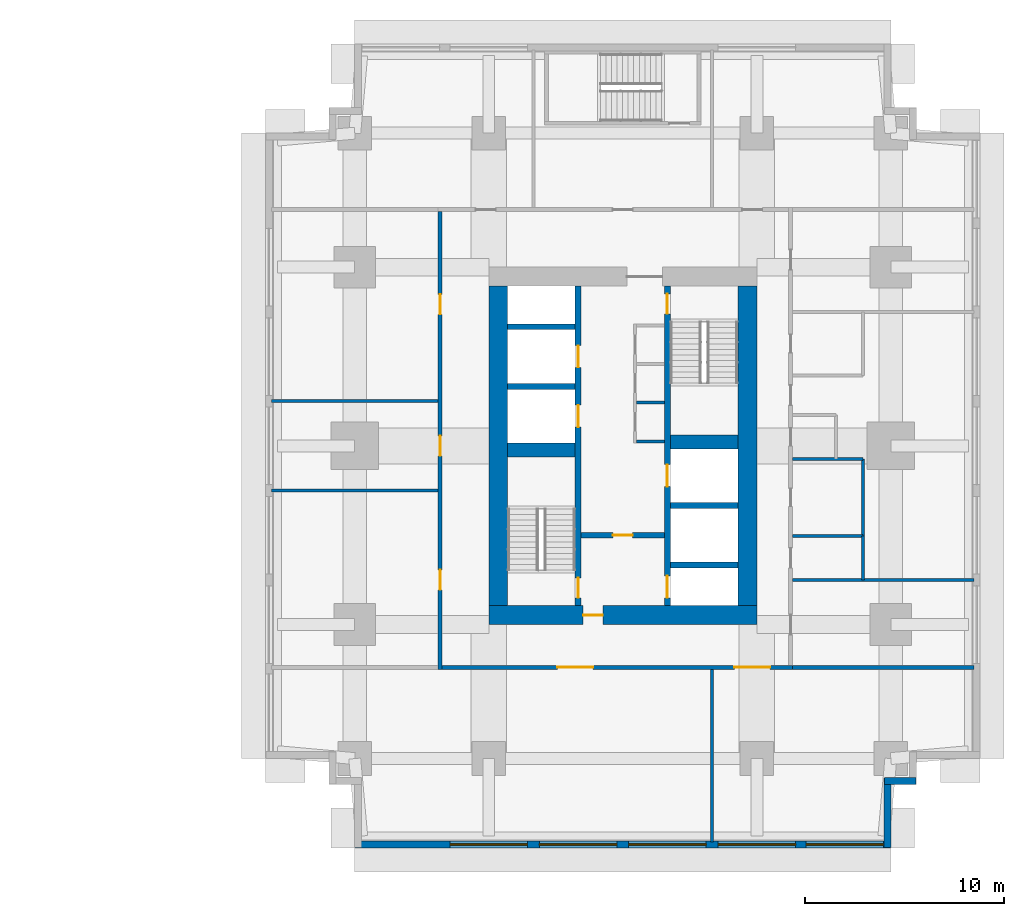
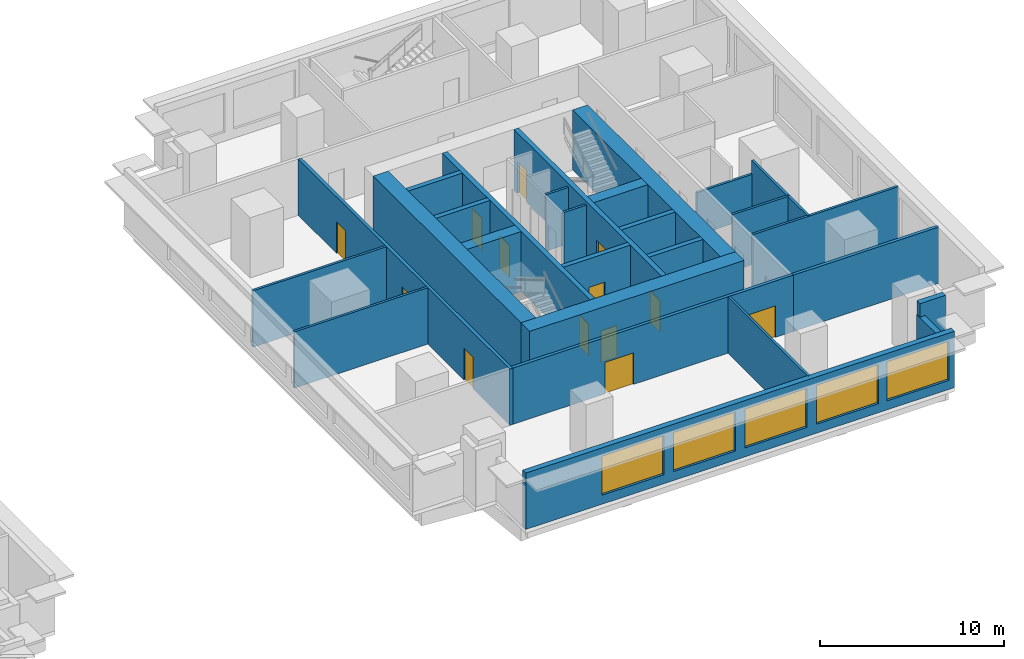
# One storey, part 6 of 11: 28 walls, 13 doors, 5 windows, 18 openings.
"""IFC4 building model written with IfcOpenShell, lengths in metres."""

from ifc_helpers import new_model, si_unit, direction, frame, frame_2d, origin, place, context, subcontext, project, spatial, rectangle, extrude, material, layer, layer_set, type_object, element, fill, save


model = new_model("IFC4")

# Units and contexts
model_context = context("Model", 3, precision=1e-05, world=origin(), true_north=direction((0.0, 1.0)))
body_context = subcontext(model_context, "Body", "Model", "MODEL_VIEW")
ifc_project = project(units=[si_unit("LENGTHUNIT", "METRE"), si_unit("AREAUNIT", "SQUARE_METRE"), si_unit("VOLUMEUNIT", "CUBIC_METRE"), si_unit("PLANEANGLEUNIT", "RADIAN"), si_unit("MASSUNIT", "GRAM", prefix="KILO")], contexts=[model_context])

# Site, building, storey
site_placement = place(None, origin())
site = spatial("IfcSite", under=ifc_project, at=site_placement, CompositionType="ELEMENT")
building_placement = place(site_placement, origin())
building = spatial("IfcBuilding", under=site, at=building_placement, Name="Namib Vertical Campus", CompositionType="ELEMENT")
storey_placement = place(building_placement, frame((0.0, 0.0, 49.0)))
storey = spatial("IfcBuildingStorey", under=building, at=storey_placement, Name="L11", CompositionType="ELEMENT", Elevation=49.0)

# Wall, openings, doors
ifc_material_1 = material(Name="Concrete C60/75", Category="concrete")
ifc_layer_1 = layer(ifc_material_1, 0.300048828125)
ifc_layer_set_1 = layer_set([ifc_layer_1], Name="Concrete C60/75")
wall_type_1 = type_object("IfcWallType", Name="Core inner wall 300", PredefinedType="SHEAR", material=ifc_layer_set_1)
wall_1_placement = place(storey_placement, frame((78.75, 12.199951171875, 0.0), z_axis=(0.0, 0.0, 1.0), x_axis=(0.0, 1.0, 0.0)))
wall_1 = element("IfcWall", 1, at=wall_1_placement, inside=storey, type_object=wall_type_1, Name="Core inner wall B L11 W1", PredefinedType="SHEAR", context=body_context, shape_type="SweptSolid", body=[
    extrude(rectangle(XDim=16.10009765625, YDim=0.300048828125, at=frame_2d((8.050048828125, 0.0))), origin(), (0.0, 0.0, 1.0), 4.0),
])
opening_1_placement = place(wall_1_placement, frame((0.39990234375, 0.0, 0.0)))
opening_1 = element("IfcOpeningElement", 2, at=opening_1_placement, cuts=wall_1, Name="Opening FD1", PredefinedType="OPENING", context=body_context, shape_type="SweptSolid", body=[
    extrude(rectangle(XDim=1.0, YDim=2.10009765625, at=frame_2d((0.5, 1.050048828125))), frame((0.0, 0.159912109375, 0.0), z_axis=(0.0, -1.0, 0.0), x_axis=(1.0, 0.0, 0.0)), (0.0, 0.0, 1.0), 0.320068359375),
])
opening_2_placement = place(wall_1_placement, frame((9.0, 0.0, 0.0)))
opening_2 = element("IfcOpeningElement", 3, at=opening_2_placement, cuts=wall_1, Name="Opening LD1", PredefinedType="OPENING", context=body_context, shape_type="SweptSolid", body=[
    extrude(rectangle(XDim=1.10009765625, YDim=2.10009765625, at=frame_2d((0.550048828125, 1.050048828125))), frame((0.0, 0.159912109375, 0.0), z_axis=(0.0, -1.0, 0.0), x_axis=(1.0, 0.0, 0.0)), (0.0, 0.0, 1.0), 0.320068359375),
])
opening_3_placement = place(wall_1_placement, frame((12.0, 0.0, 0.0)))
opening_3 = element("IfcOpeningElement", 4, at=opening_3_placement, cuts=wall_1, Name="Opening LD1", PredefinedType="OPENING", context=body_context, shape_type="SweptSolid", body=[
    extrude(rectangle(XDim=1.10009765625, YDim=2.10009765625, at=frame_2d((0.550048828125, 1.050048828125))), frame((0.0, 0.159912109375, 0.0), z_axis=(0.0, -1.0, 0.0), x_axis=(1.0, 0.0, 0.0)), (0.0, 0.0, 1.0), 0.320068359375),
])
ifc_material_2 = material(Name="Steel fire door", Category="steel")
door_type_1 = type_object("IfcDoorType", Name="Fire door 1000x2100", OperationType="SINGLE_SWING_RIGHT", PredefinedType="DOOR", material=ifc_material_2)
door_1_placement = place(opening_1_placement, origin())
door_1 = element("IfcDoor", 5, at=door_1_placement, inside=storey, type_object=door_type_1, Name="Stair door FD1 B L11 S1", OperationType="SINGLE_SWING_LEFT", OverallHeight=2.10009765625, OverallWidth=1.0, PredefinedType="DOOR", context=body_context, shape_type="SweptSolid", body=[
    extrude(rectangle(XDim=1.0, YDim=2.10009765625, at=frame_2d((0.5, 1.050048828125))), frame((0.0, 0.02490234375, 0.0), z_axis=(0.0, -1.0, 0.0), x_axis=(1.0, 0.0, 0.0)), (0.0, 0.0, 1.0), 0.050048828125),
])
fill(opening_1, door_1)
ifc_material_3 = material(Name="Stainless steel lift door", Category="steel")
door_type_2 = type_object("IfcDoorType", Name="Lift landing door 1100x2100", OperationType="DOUBLE_DOOR_SLIDING", PredefinedType="DOOR", material=ifc_material_3)
door_2_placement = place(opening_2_placement, origin())
door_2 = element("IfcDoor", 6, at=door_2_placement, inside=storey, type_object=door_type_2, Name="Lift landing door LD1 B-P1 L11", OperationType="DOUBLE_DOOR_SLIDING", OverallHeight=2.10009765625, OverallWidth=1.10009765625, PredefinedType="DOOR", context=body_context, shape_type="SweptSolid", body=[
    extrude(rectangle(XDim=1.10009765625, YDim=2.10009765625, at=frame_2d((0.550048828125, 1.050048828125))), frame((0.0, 0.02490234375, 0.0), z_axis=(0.0, -1.0, 0.0), x_axis=(1.0, 0.0, 0.0)), (0.0, 0.0, 1.0), 0.050048828125),
])
fill(opening_2, door_2)
door_3_placement = place(opening_3_placement, origin())
door_3 = element("IfcDoor", 7, at=door_3_placement, inside=storey, type_object=door_type_2, Name="Lift landing door LD1 B-P2 L11", OperationType="DOUBLE_DOOR_SLIDING", OverallHeight=2.10009765625, OverallWidth=1.10009765625, PredefinedType="DOOR", context=body_context, shape_type="SweptSolid", body=[
    extrude(rectangle(XDim=1.10009765625, YDim=2.10009765625, at=frame_2d((0.550048828125, 1.050048828125))), frame((0.0, 0.02490234375, 0.0), z_axis=(0.0, -1.0, 0.0), x_axis=(1.0, 0.0, 0.0)), (0.0, 0.0, 1.0), 0.050048828125),
])
fill(opening_3, door_3)

wall_2_placement = place(storey_placement, frame((83.25, 12.199951171875, 0.0), z_axis=(0.0, 0.0, 1.0), x_axis=(0.0, 1.0, 0.0)))
wall_2 = element("IfcWall", 8, at=wall_2_placement, inside=storey, type_object=wall_type_1, Name="Core inner wall B L11 W2", PredefinedType="SHEAR", context=body_context, shape_type="SweptSolid", body=[
    extrude(rectangle(XDim=16.10009765625, YDim=0.300048828125, at=frame_2d((8.050048828125, 0.0))), origin(), (0.0, 0.0, 1.0), 4.0),
])
opening_4_placement = place(wall_2_placement, frame((14.699951171875, 0.0, 0.0)))
opening_4 = element("IfcOpeningElement", 9, at=opening_4_placement, cuts=wall_2, Name="Opening FD1", PredefinedType="OPENING", context=body_context, shape_type="SweptSolid", body=[
    extrude(rectangle(XDim=1.0, YDim=2.10009765625, at=frame_2d((0.5, 1.050048828125))), frame((0.0, 0.159912109375, 0.0), z_axis=(0.0, -1.0, 0.0), x_axis=(1.0, 0.0, 0.0)), (0.0, 0.0, 1.0), 0.320068359375),
])
opening_5_placement = place(wall_2_placement, frame((0.39990234375, 0.0, 0.0)))
opening_5 = element("IfcOpeningElement", 10, at=opening_5_placement, cuts=wall_2, Name="Opening LD1", PredefinedType="OPENING", context=body_context, shape_type="SweptSolid", body=[
    extrude(rectangle(XDim=1.10009765625, YDim=2.10009765625, at=frame_2d((0.550048828125, 1.050048828125))), frame((0.0, 0.159912109375, 0.0), z_axis=(0.0, -1.0, 0.0), x_axis=(1.0, 0.0, 0.0)), (0.0, 0.0, 1.0), 0.320068359375),
])
opening_6_placement = place(wall_2_placement, frame((6.0, 0.0, 0.0)))
opening_6 = element("IfcOpeningElement", 11, at=opening_6_placement, cuts=wall_2, Name="Opening LD1", PredefinedType="OPENING", context=body_context, shape_type="SweptSolid", body=[
    extrude(rectangle(XDim=1.10009765625, YDim=2.10009765625, at=frame_2d((0.550048828125, 1.050048828125))), frame((0.0, 0.159912109375, 0.0), z_axis=(0.0, -1.0, 0.0), x_axis=(1.0, 0.0, 0.0)), (0.0, 0.0, 1.0), 0.320068359375),
])
door_4_placement = place(opening_4_placement, frame((1.0, 0.0, 0.0), z_axis=(0.0, 0.0, 1.0), x_axis=(-1.0, 0.0, 0.0)))
door_4 = element("IfcDoor", 12, at=door_4_placement, inside=storey, type_object=door_type_1, Name="Stair door FD1 B L11 S2", OperationType="SINGLE_SWING_LEFT", OverallHeight=2.10009765625, OverallWidth=1.0, PredefinedType="DOOR", context=body_context, shape_type="SweptSolid", body=[
    extrude(rectangle(XDim=1.0, YDim=2.10009765625, at=frame_2d((0.5, 1.050048828125))), frame((0.0, 0.02490234375, 0.0), z_axis=(0.0, -1.0, 0.0), x_axis=(1.0, 0.0, 0.0)), (0.0, 0.0, 1.0), 0.050048828125),
])
fill(opening_4, door_4)
door_5_placement = place(opening_5_placement, origin())
door_5 = element("IfcDoor", 13, at=door_5_placement, inside=storey, type_object=door_type_2, Name="Lift landing door LD1 B-FL1 L11", OperationType="DOUBLE_DOOR_SLIDING", OverallHeight=2.10009765625, OverallWidth=1.10009765625, PredefinedType="DOOR", context=body_context, shape_type="SweptSolid", body=[
    extrude(rectangle(XDim=1.10009765625, YDim=2.10009765625, at=frame_2d((0.550048828125, 1.050048828125))), frame((0.0, 0.02490234375, 0.0), z_axis=(0.0, -1.0, 0.0), x_axis=(1.0, 0.0, 0.0)), (0.0, 0.0, 1.0), 0.050048828125),
])
fill(opening_5, door_5)
door_6_placement = place(opening_6_placement, origin())
door_6 = element("IfcDoor", 14, at=door_6_placement, inside=storey, type_object=door_type_2, Name="Lift landing door LD1 B-P5 L11", OperationType="DOUBLE_DOOR_SLIDING", OverallHeight=2.10009765625, OverallWidth=1.10009765625, PredefinedType="DOOR", context=body_context, shape_type="SweptSolid", body=[
    extrude(rectangle(XDim=1.10009765625, YDim=2.10009765625, at=frame_2d((0.550048828125, 1.050048828125))), frame((0.0, 0.02490234375, 0.0), z_axis=(0.0, -1.0, 0.0), x_axis=(1.0, 0.0, 0.0)), (0.0, 0.0, 1.0), 0.050048828125),
])
fill(opening_6, door_6)

# Wall, opening, door
wall_3_placement = place(storey_placement, frame((78.89990234375, 15.75, 0.0), z_axis=(0.0, 0.0, 1.0), x_axis=(1.0, 0.0, 0.0)))
wall_3 = element("IfcWall", 15, at=wall_3_placement, inside=storey, type_object=wall_type_1, Name="Core inner wall B L11 W4", PredefinedType="SHEAR", context=body_context, shape_type="SweptSolid", body=[
    extrude(rectangle(XDim=4.2001953125, YDim=0.300048828125, at=frame_2d((2.10009765625, 0.0))), origin(), (0.0, 0.0, 1.0), 4.0),
])
opening_7_placement = place(wall_3_placement, frame((1.60009765625, 0.0, 0.0)))
opening_7 = element("IfcOpeningElement", 16, at=opening_7_placement, cuts=wall_3, Name="Opening FD5", PredefinedType="OPENING", context=body_context, shape_type="SweptSolid", body=[
    extrude(rectangle(XDim=1.0, YDim=2.10009765625, at=frame_2d((0.5, 1.050048828125))), frame((0.0, 0.159912109375, 0.0), z_axis=(0.0, -1.0, 0.0), x_axis=(1.0, 0.0, 0.0)), (0.0, 0.0, 1.0), 0.320068359375),
])
ifc_material_4 = material(Name="Steel fire door", Category="steel")
door_type_3 = type_object("IfcDoorType", Name="Fire door 1000x2100 120 min", OperationType="SINGLE_SWING_RIGHT", PredefinedType="DOOR", material=ifc_material_4)
door_7_placement = place(opening_7_placement, frame((1.0, 0.0, 0.0), z_axis=(0.0, 0.0, 1.0), x_axis=(-1.0, 0.0, 0.0)))
door_7 = element("IfcDoor", 17, at=door_7_placement, inside=storey, type_object=door_type_3, Name="Lobby door FD5 B L11", OperationType="SINGLE_SWING_RIGHT", OverallHeight=2.10009765625, OverallWidth=1.0, PredefinedType="DOOR", context=body_context, shape_type="SweptSolid", body=[
    extrude(rectangle(XDim=1.0, YDim=2.10009765625, at=frame_2d((0.5, 1.050048828125))), frame((0.0, 0.02490234375, 0.0), z_axis=(0.0, -1.0, 0.0), x_axis=(1.0, 0.0, 0.0)), (0.0, 0.0, 1.0), 0.050048828125),
])
fill(opening_7, door_7)

# Walls
for number, where, z_axis, x_axis, name in (
    (18, (83.39990234375, 14.25, 0.0), (0.0, 0.0, 1.0), (1.0, 0.0, 0.0), "Core inner wall B L11 W5"),
    (19, (83.39990234375, 17.25, 0.0), (0.0, 0.0, 1.0), (1.0, 0.0, 0.0), "Core inner wall B L11 W6"),
    (20, (75.199951171875, 23.25, 0.0), (0.0, 0.0, 1.0), (1.0, 0.0, 0.0), "Core inner wall B L11 W8"),
    (21, (75.199951171875, 26.25, 0.0), (0.0, 0.0, 1.0), (1.0, 0.0, 0.0), "Core inner wall B L11 W9"),
):
    element("IfcWall", number, at=place(storey_placement, frame(where, z_axis=z_axis, x_axis=x_axis)), inside=storey, type_object=wall_type_1, Name=name, PredefinedType="SHEAR", context=body_context, shape_type="SweptSolid", body=[
        extrude(rectangle(XDim=3.400146484375, YDim=0.300048828125, at=frame_2d((1.7001953125, 0.0))), origin(), (0.0, 0.0, 1.0), 4.0),
    ])
ifc_material_5 = material(Name="Concrete C60/75", Category="concrete")
ifc_layer_2 = layer(ifc_material_5, 0.699951171875)
ifc_layer_set_2 = layer_set([ifc_layer_2], Name="Concrete C60/75")
wall_type_2 = type_object("IfcWallType", Name="Core shear wall 700", PredefinedType="SHEAR", material=ifc_layer_set_2)
for number, where, z_axis, x_axis, name in (
    (22, (75.199951171875, 20.050048828125, 0.0), (0.0, 0.0, 1.0), (1.0, 0.0, 0.0), "Core shear wall B L11 W3"),
    (23, (83.39990234375, 20.449951171875, 0.0), (0.0, 0.0, 1.0), (1.0, 0.0, 0.0), "Core shear wall B L11 W7"),
):
    element("IfcWall", number, at=place(storey_placement, frame(where, z_axis=z_axis, x_axis=x_axis)), inside=storey, type_object=wall_type_2, Name=name, PredefinedType="SHEAR", context=body_context, shape_type="SweptSolid", body=[
        extrude(rectangle(XDim=3.400146484375, YDim=0.699951171875, at=frame_2d((1.7001953125, 0.0))), origin(), (0.0, 0.0, 1.0), 4.0),
    ])

# Wall, opening, door
ifc_material_6 = material(Name="Concrete C60/75", Category="concrete")
ifc_layer_3 = layer(ifc_material_6, 0.949951171875)
ifc_layer_set_3 = layer_set([ifc_layer_3], Name="Concrete C60/75")
wall_type_3 = type_object("IfcWallType", Name="Core wall 950", PredefinedType="SHEAR", material=ifc_layer_set_3)
wall_4_placement = place(storey_placement, frame((74.25, 11.72509765625, 0.0), z_axis=(0.0, 0.0, 1.0), x_axis=(1.0, 0.0, 0.0)))
wall_4 = element("IfcWall", 24, at=wall_4_placement, inside=storey, type_object=wall_type_3, Name="Core wall B L11 1", PredefinedType="SHEAR", context=body_context, shape_type="SweptSolid", body=[
    extrude(rectangle(XDim=13.5, YDim=0.949951171875, at=frame_2d((6.75, 0.0))), origin(), (0.0, 0.0, 1.0), 4.0),
])
opening_8_placement = place(wall_4_placement, frame((4.75, 0.0, 0.0)))
opening_8 = element("IfcOpeningElement", 25, at=opening_8_placement, cuts=wall_4, Name="Opening FD5", PredefinedType="OPENING", context=body_context, shape_type="SweptSolid", body=[
    extrude(rectangle(XDim=1.0, YDim=2.10009765625, at=frame_2d((0.5, 1.050048828125))), frame((0.0, 0.48486328125, 0.0), z_axis=(0.0, -1.0, 0.0), x_axis=(1.0, 0.0, 0.0)), (0.0, 0.0, 1.0), 0.969970703125),
])
door_8_placement = place(opening_8_placement, origin())
door_8 = element("IfcDoor", 26, at=door_8_placement, inside=storey, type_object=door_type_3, Name="Firefighting lobby door FD5 B L11", OperationType="SINGLE_SWING_LEFT", OverallHeight=2.10009765625, OverallWidth=1.0, PredefinedType="DOOR", context=body_context, shape_type="SweptSolid", body=[
    extrude(rectangle(XDim=1.0, YDim=2.10009765625, at=frame_2d((0.5, 1.050048828125))), frame((0.0, 0.02490234375, 0.0), z_axis=(0.0, -1.0, 0.0), x_axis=(1.0, 0.0, 0.0)), (0.0, 0.0, 1.0), 0.050048828125),
])
fill(opening_8, door_8)

# Walls
for number, where, z_axis, x_axis, name in (
    (27, (87.27490234375, 12.199951171875, 0.0), (0.0, 0.0, 1.0), (0.0, 1.0, 0.0), "Core wall B L11 2"),
    (28, (74.72509765625, 28.300048828125, 0.0), (0.0, 0.0, 1.0), (0.0, -1.0, 0.0), "Core wall B L11 4"),
):
    element("IfcWall", number, at=place(storey_placement, frame(where, z_axis=z_axis, x_axis=x_axis)), inside=storey, type_object=wall_type_3, Name=name, PredefinedType="SHEAR", context=body_context, shape_type="SweptSolid", body=[
        extrude(rectangle(XDim=16.10009765625, YDim=0.949951171875, at=frame_2d((8.050048828125, 0.0))), origin(), (0.0, 0.0, 1.0), 4.0),
    ])

# Wall, openings, doors
ifc_material_7 = material(Name="Concrete masonry", Category="masonry")
ifc_layer_4 = layer(ifc_material_7, 0.199951171875)
ifc_layer_set_4 = layer_set([ifc_layer_4], Name="Corridor wall 200")
wall_type_4 = type_object("IfcWallType", Name="Corridor wall 200", PredefinedType="SOLIDWALL", material=ifc_layer_set_4)
wall_5_placement = place(storey_placement, frame((71.89990234375, 9.10009765625, 0.0), z_axis=(0.0, 0.0, 1.0), x_axis=(1.0, 0.0, 0.0)))
wall_5 = element("IfcWall", 29, at=wall_5_placement, inside=storey, type_object=wall_type_4, Name="Corridor wall B L11 CS", PredefinedType="SOLIDWALL", context=body_context, shape_type="SweptSolid", body=[
    extrude(rectangle(XDim=17.650146484375, YDim=0.199951171875, at=frame_2d((8.8251953125, 0.0))), origin(), (0.0, 0.0, 1.0), 3.75),
])
opening_9_placement = place(wall_5_placement, frame((5.800048828125, 0.0, 0.0)))
opening_9 = element("IfcOpeningElement", 30, at=opening_9_placement, cuts=wall_5, Name="Opening CD2", PredefinedType="OPENING", context=body_context, shape_type="SweptSolid", body=[
    extrude(rectangle(XDim=1.800048828125, YDim=2.10009765625, at=frame_2d((0.89990234375, 1.050048828125))), frame((0.0, 0.10986328125, 0.0), z_axis=(0.0, -1.0, 0.0), x_axis=(1.0, 0.0, 0.0)), (0.0, 0.0, 1.0), 0.219970703125),
])
opening_10_placement = place(wall_5_placement, frame((14.72509765625, 0.0, 0.0)))
opening_10 = element("IfcOpeningElement", 31, at=opening_10_placement, cuts=wall_5, Name="Opening CD2", PredefinedType="OPENING", context=body_context, shape_type="SweptSolid", body=[
    extrude(rectangle(XDim=1.800048828125, YDim=2.10009765625, at=frame_2d((0.89990234375, 1.050048828125))), frame((0.0, 0.10986328125, 0.0), z_axis=(0.0, -1.0, 0.0), x_axis=(1.0, 0.0, 0.0)), (0.0, 0.0, 1.0), 0.219970703125),
])
ifc_material_8 = material(Name="Timber fire door leaf", Category="wood")
door_type_4 = type_object("IfcDoorType", Name="Corridor door double 1800x2100 20 min", OperationType="DOUBLE_DOOR_SINGLE_SWING", PredefinedType="DOOR", material=ifc_material_8)
door_9_placement = place(opening_9_placement, frame((1.800048828125, 0.0, 0.0), z_axis=(0.0, 0.0, 1.0), x_axis=(-1.0, 0.0, 0.0)))
door_9 = element("IfcDoor", 32, at=door_9_placement, inside=storey, type_object=door_type_4, Name="Door CD2 B11-01", OperationType="DOUBLE_DOOR_SINGLE_SWING", OverallHeight=2.10009765625, OverallWidth=1.800048828125, PredefinedType="DOOR", context=body_context, shape_type="SweptSolid", body=[
    extrude(rectangle(XDim=1.800048828125, YDim=2.10009765625, at=frame_2d((0.89990234375, 1.050048828125))), frame((0.0, 0.02490234375, 0.0), z_axis=(0.0, -1.0, 0.0), x_axis=(1.0, 0.0, 0.0)), (0.0, 0.0, 1.0), 0.050048828125),
])
fill(opening_9, door_9)
door_10_placement = place(opening_10_placement, frame((1.800048828125, 0.0, 0.0), z_axis=(0.0, 0.0, 1.0), x_axis=(-1.0, 0.0, 0.0)))
door_10 = element("IfcDoor", 33, at=door_10_placement, inside=storey, type_object=door_type_4, Name="Door CD2 B11-02", OperationType="DOUBLE_DOOR_SINGLE_SWING", OverallHeight=2.10009765625, OverallWidth=1.800048828125, PredefinedType="DOOR", context=body_context, shape_type="SweptSolid", body=[
    extrude(rectangle(XDim=1.800048828125, YDim=2.10009765625, at=frame_2d((0.89990234375, 1.050048828125))), frame((0.0, 0.02490234375, 0.0), z_axis=(0.0, -1.0, 0.0), x_axis=(1.0, 0.0, 0.0)), (0.0, 0.0, 1.0), 0.050048828125),
])
fill(opening_10, door_10)

wall_6_placement = place(storey_placement, frame((71.800048828125, 32.050048828125, 0.0), z_axis=(0.0, 0.0, 1.0), x_axis=(0.0, -1.0, 0.0)))
wall_6 = element("IfcWall", 34, at=wall_6_placement, inside=storey, type_object=wall_type_4, Name="Corridor wall B L11 CW", PredefinedType="SOLIDWALL", context=body_context, shape_type="SweptSolid", body=[
    extrude(rectangle(XDim=23.050048828125, YDim=0.199951171875, at=frame_2d((11.52490234375, 0.0))), origin(), (0.0, 0.0, 1.0), 3.75),
])
opening_11_placement = place(wall_6_placement, frame((18.050048828125, 0.0, 0.0)))
opening_11 = element("IfcOpeningElement", 35, at=opening_11_placement, cuts=wall_6, Name="Opening CD1", PredefinedType="OPENING", context=body_context, shape_type="SweptSolid", body=[
    extrude(rectangle(XDim=1.0, YDim=2.10009765625, at=frame_2d((0.5, 1.050048828125))), frame((0.0, 0.10986328125, 0.0), z_axis=(0.0, -1.0, 0.0), x_axis=(1.0, 0.0, 0.0)), (0.0, 0.0, 1.0), 0.219970703125),
])
opening_12_placement = place(wall_6_placement, frame((11.300048828125, 0.0, 0.0)))
opening_12 = element("IfcOpeningElement", 36, at=opening_12_placement, cuts=wall_6, Name="Opening CD1", PredefinedType="OPENING", context=body_context, shape_type="SweptSolid", body=[
    extrude(rectangle(XDim=1.0, YDim=2.10009765625, at=frame_2d((0.5, 1.050048828125))), frame((0.0, 0.10986328125, 0.0), z_axis=(0.0, -1.0, 0.0), x_axis=(1.0, 0.0, 0.0)), (0.0, 0.0, 1.0), 0.219970703125),
])
opening_13_placement = place(wall_6_placement, frame((4.175048828125, 0.0, 0.0)))
opening_13 = element("IfcOpeningElement", 37, at=opening_13_placement, cuts=wall_6, Name="Opening CD1", PredefinedType="OPENING", context=body_context, shape_type="SweptSolid", body=[
    extrude(rectangle(XDim=1.0, YDim=2.10009765625, at=frame_2d((0.5, 1.050048828125))), frame((0.0, 0.10986328125, 0.0), z_axis=(0.0, -1.0, 0.0), x_axis=(1.0, 0.0, 0.0)), (0.0, 0.0, 1.0), 0.219970703125),
])
ifc_material_9 = material(Name="Timber fire door leaf", Category="wood")
door_type_5 = type_object("IfcDoorType", Name="Corridor door 1000x2100 20 min", OperationType="SINGLE_SWING_LEFT", PredefinedType="DOOR", material=ifc_material_9)
door_11_placement = place(opening_11_placement, frame((1.0, 0.0, 0.0), z_axis=(0.0, 0.0, 1.0), x_axis=(-1.0, 0.0, 0.0)))
door_11 = element("IfcDoor", 38, at=door_11_placement, inside=storey, type_object=door_type_5, Name="Door CD1 B11-13", OperationType="SINGLE_SWING_RIGHT", OverallHeight=2.10009765625, OverallWidth=1.0, PredefinedType="DOOR", context=body_context, shape_type="SweptSolid", body=[
    extrude(rectangle(XDim=1.0, YDim=2.10009765625, at=frame_2d((0.5, 1.050048828125))), frame((0.0, 0.02490234375, 0.0), z_axis=(0.0, -1.0, 0.0), x_axis=(1.0, 0.0, 0.0)), (0.0, 0.0, 1.0), 0.050048828125),
])
fill(opening_11, door_11)
door_12_placement = place(opening_12_placement, frame((1.0, 0.0, 0.0), z_axis=(0.0, 0.0, 1.0), x_axis=(-1.0, 0.0, 0.0)))
door_12 = element("IfcDoor", 39, at=door_12_placement, inside=storey, type_object=door_type_5, Name="Door CD1 B11-14", OperationType="SINGLE_SWING_RIGHT", OverallHeight=2.10009765625, OverallWidth=1.0, PredefinedType="DOOR", context=body_context, shape_type="SweptSolid", body=[
    extrude(rectangle(XDim=1.0, YDim=2.10009765625, at=frame_2d((0.5, 1.050048828125))), frame((0.0, 0.02490234375, 0.0), z_axis=(0.0, -1.0, 0.0), x_axis=(1.0, 0.0, 0.0)), (0.0, 0.0, 1.0), 0.050048828125),
])
fill(opening_12, door_12)
door_13_placement = place(opening_13_placement, frame((1.0, 0.0, 0.0), z_axis=(0.0, 0.0, 1.0), x_axis=(-1.0, 0.0, 0.0)))
door_13 = element("IfcDoor", 40, at=door_13_placement, inside=storey, type_object=door_type_5, Name="Door CD1 B11-15", OperationType="SINGLE_SWING_RIGHT", OverallHeight=2.10009765625, OverallWidth=1.0, PredefinedType="DOOR", context=body_context, shape_type="SweptSolid", body=[
    extrude(rectangle(XDim=1.0, YDim=2.10009765625, at=frame_2d((0.5, 1.050048828125))), frame((0.0, 0.02490234375, 0.0), z_axis=(0.0, -1.0, 0.0), x_axis=(1.0, 0.0, 0.0)), (0.0, 0.0, 1.0), 0.050048828125),
])
fill(opening_13, door_13)

# Wall
wall_7_placement = place(storey_placement, frame((89.550048828125, 9.10009765625, 0.0), z_axis=(0.0, 0.0, 1.0), x_axis=(1.0, 0.0, 0.0)))
element("IfcWall", 41, at=wall_7_placement, inside=storey, type_object=wall_type_4, Name="Partition B L11 BSE", PredefinedType="SOLIDWALL", context=body_context, shape_type="SweptSolid", body=[
    extrude(rectangle(XDim=9.14990234375, YDim=0.199951171875, at=frame_2d((4.574951171875, 0.0))), origin(), (0.0, 0.0, 1.0), 3.75),
])

# Wall, openings, windows
ifc_material_10 = material(Name="Concrete C40/50", Category="concrete")
ifc_layer_5 = layer(ifc_material_10, 0.35009765625)
ifc_layer_set_5 = layer_set([ifc_layer_5], Name="Concrete C40/50")
wall_type_5 = type_object("IfcWallType", Name="External wall 350 bush-hammered concrete", PredefinedType="STANDARD", material=ifc_layer_set_5)
wall_8_placement = place(storey_placement, frame((67.52001953125, 0.175048828125, 0.0), z_axis=(0.0, 0.0, 1.0), x_axis=(1.0, 0.0, 0.0)))
wall_8 = element("IfcWall", 42, at=wall_8_placement, inside=storey, type_object=wall_type_5, Name="External wall L11 F01", PredefinedType="STANDARD", context=body_context, shape_type="SweptSolid", body=[
    extrude(rectangle(XDim=26.9599609375, YDim=0.35009765625, at=frame_2d((13.47998046875, 0.0))), origin(), (0.0, 0.0, 1.0), 3.75),
])
opening_14_placement = place(wall_8_placement, frame((4.780029296875, 0.0, 0.60009765625)))
opening_14 = element("IfcOpeningElement", 43, at=opening_14_placement, cuts=wall_8, Name="Opening W2", PredefinedType="OPENING", context=body_context, shape_type="SweptSolid", body=[
    extrude(rectangle(XDim=3.89990234375, YDim=2.60009765625, at=frame_2d((1.949951171875, 1.300048828125))), frame((0.0, 0.18505859375, 0.0), z_axis=(0.0, -1.0, 0.0), x_axis=(1.0, 0.0, 0.0)), (0.0, 0.0, 1.0), 0.3701171875),
])
opening_15_placement = place(wall_8_placement, frame((9.280029296875, 0.0, 0.60009765625)))
opening_15 = element("IfcOpeningElement", 44, at=opening_15_placement, cuts=wall_8, Name="Opening W2", PredefinedType="OPENING", context=body_context, shape_type="SweptSolid", body=[
    extrude(rectangle(XDim=3.89990234375, YDim=2.60009765625, at=frame_2d((1.949951171875, 1.300048828125))), frame((0.0, 0.18505859375, 0.0), z_axis=(0.0, -1.0, 0.0), x_axis=(1.0, 0.0, 0.0)), (0.0, 0.0, 1.0), 0.3701171875),
])
opening_16_placement = place(wall_8_placement, frame((13.780029296875, 0.0, 0.60009765625)))
opening_16 = element("IfcOpeningElement", 45, at=opening_16_placement, cuts=wall_8, Name="Opening W2", PredefinedType="OPENING", context=body_context, shape_type="SweptSolid", body=[
    extrude(rectangle(XDim=3.89990234375, YDim=2.60009765625, at=frame_2d((1.949951171875, 1.300048828125))), frame((0.0, 0.18505859375, 0.0), z_axis=(0.0, -1.0, 0.0), x_axis=(1.0, 0.0, 0.0)), (0.0, 0.0, 1.0), 0.3701171875),
])
opening_17_placement = place(wall_8_placement, frame((18.280029296875, 0.0, 0.60009765625)))
opening_17 = element("IfcOpeningElement", 46, at=opening_17_placement, cuts=wall_8, Name="Opening W2", PredefinedType="OPENING", context=body_context, shape_type="SweptSolid", body=[
    extrude(rectangle(XDim=3.89990234375, YDim=2.60009765625, at=frame_2d((1.949951171875, 1.300048828125))), frame((0.0, 0.18505859375, 0.0), z_axis=(0.0, -1.0, 0.0), x_axis=(1.0, 0.0, 0.0)), (0.0, 0.0, 1.0), 0.3701171875),
])
opening_18_placement = place(wall_8_placement, frame((22.7099609375, 0.0, 0.60009765625)))
opening_18 = element("IfcOpeningElement", 47, at=opening_18_placement, cuts=wall_8, Name="Opening W2", PredefinedType="OPENING", context=body_context, shape_type="SweptSolid", body=[
    extrude(rectangle(XDim=3.89990234375, YDim=2.60009765625, at=frame_2d((1.949951171875, 1.300048828125))), frame((0.0, 0.18505859375, 0.0), z_axis=(0.0, -1.0, 0.0), x_axis=(1.0, 0.0, 0.0)), (0.0, 0.0, 1.0), 0.3701171875),
])
ifc_material_11 = material(Name="Dark tinted glass in black aluminium frame", Category="aluminium")
window_type = type_object("IfcWindowType", Name="Ribbon window 3900x2600", PartitioningType="SINGLE_PANEL", PredefinedType="WINDOW", material=ifc_material_11)
window_1_placement = place(opening_14_placement, origin())
window_1 = element("IfcWindow", 48, at=window_1_placement, inside=storey, type_object=window_type, Name="Window W2 L11 F01-2", OverallHeight=2.60009765625, OverallWidth=3.89990234375, PartitioningType="SINGLE_PANEL", PredefinedType="WINDOW", context=body_context, shape_type="SweptSolid", body=[
    extrude(rectangle(XDim=3.89990234375, YDim=2.60009765625, at=frame_2d((1.949951171875, 1.300048828125))), frame((0.0, 0.030029296875, 0.0), z_axis=(0.0, -1.0, 0.0), x_axis=(1.0, 0.0, 0.0)), (0.0, 0.0, 1.0), 0.06005859375),
])
fill(opening_14, window_1)
window_2_placement = place(opening_15_placement, origin())
window_2 = element("IfcWindow", 49, at=window_2_placement, inside=storey, type_object=window_type, Name="Window W2 L11 F01-3", OverallHeight=2.60009765625, OverallWidth=3.89990234375, PartitioningType="SINGLE_PANEL", PredefinedType="WINDOW", context=body_context, shape_type="SweptSolid", body=[
    extrude(rectangle(XDim=3.89990234375, YDim=2.60009765625, at=frame_2d((1.949951171875, 1.300048828125))), frame((0.0, 0.030029296875, 0.0), z_axis=(0.0, -1.0, 0.0), x_axis=(1.0, 0.0, 0.0)), (0.0, 0.0, 1.0), 0.06005859375),
])
fill(opening_15, window_2)
window_3_placement = place(opening_16_placement, origin())
window_3 = element("IfcWindow", 50, at=window_3_placement, inside=storey, type_object=window_type, Name="Window W2 L11 F01-4", OverallHeight=2.60009765625, OverallWidth=3.89990234375, PartitioningType="SINGLE_PANEL", PredefinedType="WINDOW", context=body_context, shape_type="SweptSolid", body=[
    extrude(rectangle(XDim=3.89990234375, YDim=2.60009765625, at=frame_2d((1.949951171875, 1.300048828125))), frame((0.0, 0.030029296875, 0.0), z_axis=(0.0, -1.0, 0.0), x_axis=(1.0, 0.0, 0.0)), (0.0, 0.0, 1.0), 0.06005859375),
])
fill(opening_16, window_3)
window_4_placement = place(opening_17_placement, origin())
window_4 = element("IfcWindow", 51, at=window_4_placement, inside=storey, type_object=window_type, Name="Window W2 L11 F01-5", OverallHeight=2.60009765625, OverallWidth=3.89990234375, PartitioningType="SINGLE_PANEL", PredefinedType="WINDOW", context=body_context, shape_type="SweptSolid", body=[
    extrude(rectangle(XDim=3.89990234375, YDim=2.60009765625, at=frame_2d((1.949951171875, 1.300048828125))), frame((0.0, 0.030029296875, 0.0), z_axis=(0.0, -1.0, 0.0), x_axis=(1.0, 0.0, 0.0)), (0.0, 0.0, 1.0), 0.06005859375),
])
fill(opening_17, window_4)
window_5_placement = place(opening_18_placement, origin())
window_5 = element("IfcWindow", 52, at=window_5_placement, inside=storey, type_object=window_type, Name="Window W2 L11 F01-6", OverallHeight=2.60009765625, OverallWidth=3.89990234375, PartitioningType="SINGLE_PANEL", PredefinedType="WINDOW", context=body_context, shape_type="SweptSolid", body=[
    extrude(rectangle(XDim=3.89990234375, YDim=2.60009765625, at=frame_2d((1.949951171875, 1.300048828125))), frame((0.0, 0.030029296875, 0.0), z_axis=(0.0, -1.0, 0.0), x_axis=(1.0, 0.0, 0.0)), (0.0, 0.0, 1.0), 0.06005859375),
])
fill(opening_18, window_5)

# Walls
wall_9_placement = place(storey_placement, frame((94.324951171875, 0.02001953125, 0.0), z_axis=(0.0, 0.0, 1.0), x_axis=(0.0, 1.0, 0.0)))
element("IfcWall", 53, at=wall_9_placement, inside=storey, type_object=wall_type_5, Name="External wall L11 F02", PredefinedType="STANDARD", context=body_context, shape_type="SweptSolid", body=[
    extrude(rectangle(XDim=3.510009765625, YDim=0.35009765625, at=frame_2d((1.7548828125, 0.0))), origin(), (0.0, 0.0, 1.0), 2.85009765625),
])
wall_10_placement = place(storey_placement, frame((94.169921875, 3.375, 0.0), z_axis=(0.0, 0.0, 1.0), x_axis=(1.0, 0.0, 0.0)))
element("IfcWall", 54, at=wall_10_placement, inside=storey, type_object=wall_type_5, Name="External wall L11 F03", PredefinedType="STANDARD", context=body_context, shape_type="SweptSolid", body=[
    extrude(rectangle(XDim=1.610107421875, YDim=0.35009765625, at=frame_2d((0.80517578125, 0.0))), origin(), (0.0, 0.0, 1.0), 3.75),
])
ifc_material_12 = material(Name="Gypsum board on steel studs", Category="steel")
ifc_layer_6 = layer(ifc_material_12, 0.14990234375)
ifc_layer_set_6 = layer_set([ifc_layer_6], Name="Gypsum board on steel studs")
wall_type_6 = type_object("IfcWallType", Name="Partition 150", PredefinedType="PARTITIONING", material=ifc_layer_set_6)
for number, where, z_axis, x_axis, name in (
    (55, (81.699951171875, 20.47509765625, 0.0), (0.0, 0.0, 1.0), (1.0, 0.0, 0.0), "Partition B L11 Records store and Cleaners' store and Linen store end 1"),
    (56, (81.699951171875, 22.425048828125, 0.0), (0.0, 0.0, 1.0), (1.0, 0.0, 0.0), "Partition B L11 Records store and Cleaners' store and Linen store division 2"),
):
    element("IfcWall", number, at=place(storey_placement, frame(where, z_axis=z_axis, x_axis=x_axis)), inside=storey, type_object=wall_type_6, Name=name, PredefinedType="PARTITIONING", context=body_context, shape_type="SweptSolid", body=[
        extrude(rectangle(XDim=1.400146484375, YDim=0.14990234375, at=frame_2d((0.7001953125, 0.0))), origin(), (0.0, 0.0, 1.0), 3.75),
    ])
wall_11_placement = place(storey_placement, frame((85.5, 0.300048828125, 0.0), z_axis=(0.0, 0.0, 1.0), x_axis=(0.0, 1.0, 0.0)))
element("IfcWall", 57, at=wall_11_placement, inside=storey, type_object=wall_type_6, Name="Partition B L11 PS1", PredefinedType="PARTITIONING", context=body_context, shape_type="SweptSolid", body=[
    extrude(rectangle(XDim=8.699951171875, YDim=0.14990234375, at=frame_2d((4.35009765625, 0.0))), origin(), (0.0, 0.0, 1.0), 3.75),
])
wall_12_placement = place(storey_placement, frame((89.550048828125, 13.5, 0.0), z_axis=(0.0, 0.0, 1.0), x_axis=(1.0, 0.0, 0.0)))
element("IfcWall", 58, at=wall_12_placement, inside=storey, type_object=wall_type_6, Name="Partition B L11 PE1", PredefinedType="PARTITIONING", context=body_context, shape_type="SweptSolid", body=[
    extrude(rectangle(XDim=9.14990234375, YDim=0.14990234375, at=frame_2d((4.574951171875, 0.0))), origin(), (0.0, 0.0, 1.0), 3.75),
])
for number, where, z_axis, x_axis, name in (
    (59, (63.300048828125, 18.0, 0.0), (0.0, 0.0, 1.0), (1.0, 0.0, 0.0), "Partition B L11 PW1"),
    (60, (63.300048828125, 22.5, 0.0), (0.0, 0.0, 1.0), (1.0, 0.0, 0.0), "Partition B L11 PW2"),
):
    element("IfcWall", number, at=place(storey_placement, frame(where, z_axis=z_axis, x_axis=x_axis)), inside=storey, type_object=wall_type_6, Name=name, PredefinedType="PARTITIONING", context=body_context, shape_type="SweptSolid", body=[
        extrude(rectangle(XDim=8.39990234375, YDim=0.14990234375, at=frame_2d((4.199951171875, 0.0))), origin(), (0.0, 0.0, 1.0), 3.75),
    ])
wall_13_placement = place(storey_placement, frame((89.550048828125, 15.699951171875, 0.0), z_axis=(0.0, 0.0, 1.0), x_axis=(1.0, 0.0, 0.0)))
element("IfcWall", 61, at=wall_13_placement, inside=storey, type_object=wall_type_6, Name="Partition B L11 WR1", PredefinedType="PARTITIONING", context=body_context, shape_type="SweptSolid", body=[
    extrude(rectangle(XDim=3.550048828125, YDim=0.14990234375, at=frame_2d((1.77490234375, 0.0))), origin(), (0.0, 0.0, 1.0), 3.75),
])
wall_14_placement = place(storey_placement, frame((89.550048828125, 19.60009765625, 0.0), z_axis=(0.0, 0.0, 1.0), x_axis=(1.0, 0.0, 0.0)))
element("IfcWall", 62, at=wall_14_placement, inside=storey, type_object=wall_type_6, Name="Partition B L11 WR2", PredefinedType="PARTITIONING", context=body_context, shape_type="SweptSolid", body=[
    extrude(rectangle(XDim=3.550048828125, YDim=0.14990234375, at=frame_2d((1.77490234375, 0.0))), origin(), (0.0, 0.0, 1.0), 2.85009765625),
])
wall_15_placement = place(storey_placement, frame((93.10009765625, 13.5, 0.0), z_axis=(0.0, 0.0, 1.0), x_axis=(0.0, 1.0, 0.0)))
element("IfcWall", 63, at=wall_15_placement, inside=storey, type_object=wall_type_6, Name="Partition B L11 WB1", PredefinedType="PARTITIONING", context=body_context, shape_type="SweptSolid", body=[
    extrude(rectangle(XDim=2.199951171875, YDim=0.14990234375, at=frame_2d((1.10009765625, 0.0))), origin(), (0.0, 0.0, 1.0), 3.75),
])
wall_16_placement = place(storey_placement, frame((93.10009765625, 15.699951171875, 0.0), z_axis=(0.0, 0.0, 1.0), x_axis=(0.0, 1.0, 0.0)))
element("IfcWall", 64, at=wall_16_placement, inside=storey, type_object=wall_type_6, Name="Partition B L11 WB2", PredefinedType="PARTITIONING", context=body_context, shape_type="SweptSolid", body=[
    extrude(rectangle(XDim=3.900146484375, YDim=0.14990234375, at=frame_2d((1.9501953125, 0.0))), origin(), (0.0, 0.0, 1.0), 3.75),
])

save(model, "model.ifc")
